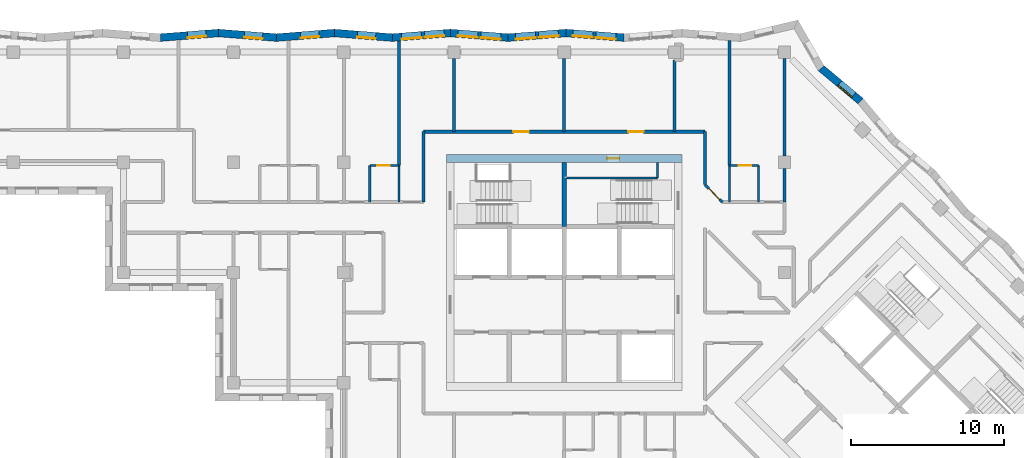
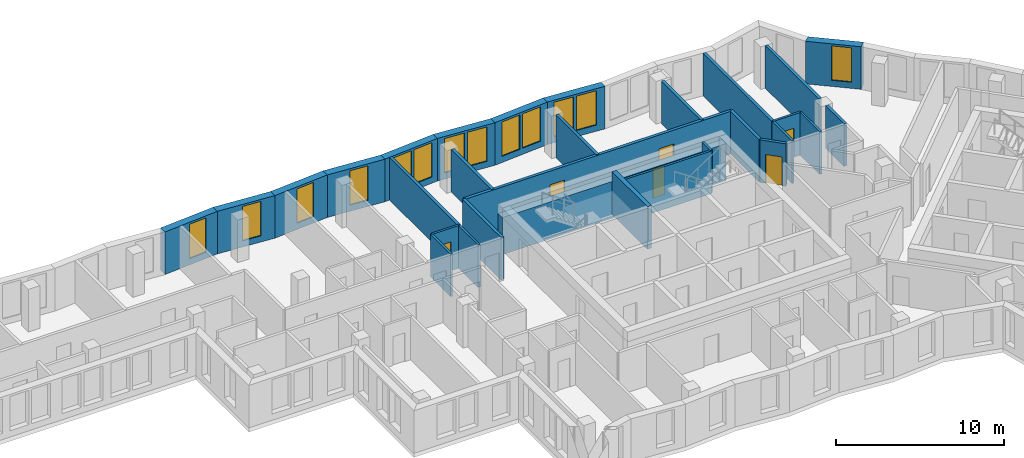
# One storey, part 6 of 11: 30 walls, 13 windows, 6 doors, 19 openings.
"""IFC4 building model written with IfcOpenShell, lengths in metres."""

from ifc_helpers import new_model, si_unit, direction, frame, frame_2d, origin, place, context, subcontext, project, spatial, polyline, rectangle, outline, extrude, material, layer, layer_set, type_object, element, fill, save


model = new_model("IFC4")

# Units and contexts
model_context = context("Model", 3, precision=1e-05, world=origin(), true_north=direction((0.0, 1.0)))
body_context = subcontext(model_context, "Body", "Model", "MODEL_VIEW")
ifc_project = project(units=[si_unit("LENGTHUNIT", "METRE"), si_unit("AREAUNIT", "SQUARE_METRE"), si_unit("VOLUMEUNIT", "CUBIC_METRE"), si_unit("PLANEANGLEUNIT", "RADIAN"), si_unit("MASSUNIT", "GRAM", prefix="KILO")], contexts=[model_context])

# Site, building, storey
site_placement = place(None, origin())
site = spatial("IfcSite", under=ifc_project, at=site_placement, CompositionType="ELEMENT")
building_placement = place(site_placement, origin())
building = spatial("IfcBuilding", under=site, at=building_placement, Name="Windrow Commons", CompositionType="ELEMENT")
storey_placement = place(building_placement, frame((0.0, 0.0, 189.6)))
storey = spatial("IfcBuildingStorey", under=building, at=storey_placement, Name="L51", CompositionType="ELEMENT", Elevation=189.6)

# Wall, opening, window
ifc_material_1 = material(Name="Brick masonry, red clay brick", Category="masonry")
ifc_layer_1 = layer(ifc_material_1, 0.5)
ifc_layer_set_1 = layer_set([ifc_layer_1], Name="Brick facade wall 500")
wall_type_1 = type_object("IfcWallType", Name="Brick facade wall 500", PredefinedType="SOLIDWALL", material=ifc_layer_set_1)
wall_1_placement = place(storey_placement, frame((84.1732, 68.7932, 0.0), z_axis=(0.0, 0.0, 1.0), x_axis=(-0.7677555003, 0.6407429217, 0.0)))
wall_1 = element("IfcWall", 1, at=wall_1_placement, inside=storey, type_object=wall_type_1, Name="Brick facade wall L51 15", PredefinedType="SOLIDWALL", context=body_context, shape_type="SweptSolid", body=[
    extrude(outline(polyline([(-0.0225, -0.25), (3.3179, -0.25), (3.4074, 0.25), (0.0225, 0.25), (-0.0225, -0.25)])), origin(), (0.0, 0.0, 1.0), 3.1),
])
opening_1_placement = place(wall_1_placement, frame((0.6078, 0.0, 0.45)))
opening_1 = element("IfcOpeningElement", 2, at=opening_1_placement, cuts=wall_1, Name="Opening W7E", PredefinedType="OPENING", context=body_context, shape_type="SweptSolid", body=[
    extrude(rectangle(XDim=1.2, YDim=2.5, at=frame_2d((0.6, 1.25))), frame((0.0, 0.26, 0.0), z_axis=(0.0, -1.0, 0.0), x_axis=(1.0, 0.0, 0.0)), (0.0, 0.0, 1.0), 0.52),
])
ifc_material_2 = material(Name="Clear float glass in anodised aluminium frame", Category="aluminium")
window_type_1 = type_object("IfcWindowType", Name="Window W7 notch 1200x2500", PartitioningType="SINGLE_PANEL", PredefinedType="WINDOW", material=ifc_material_2)
window_1_placement = place(opening_1_placement, origin())
window_1 = element("IfcWindow", 3, at=window_1_placement, inside=storey, type_object=window_type_1, Name="Window L51 15.1", OverallHeight=2.5, OverallWidth=1.2, PartitioningType="SINGLE_PANEL", PredefinedType="WINDOW", context=body_context, shape_type="SweptSolid", body=[
    extrude(rectangle(XDim=1.2, YDim=2.5, at=frame_2d((0.6, 1.25))), frame((0.0, 0.18, 0.0), z_axis=(0.0, -1.0, 0.0), x_axis=(1.0, 0.0, 0.0)), (0.0, 0.0, 1.0), 0.06),
])
fill(opening_1, window_1)

# Wall, openings, windows
wall_2_placement = place(storey_placement, frame((68.713, 72.9492, 0.0), z_axis=(0.0, 0.0, 1.0), x_axis=(-0.9968746163, 0.078999996, 0.0)))
wall_2 = element("IfcWall", 4, at=wall_2_placement, inside=storey, type_object=wall_type_1, Name="Brick facade wall L51 20", PredefinedType="SOLIDWALL", context=body_context, shape_type="SweptSolid", body=[
    extrude(outline(polyline([(0.0198, -0.25), (3.8173, -0.25), (3.7777, 0.25), (-0.0198, 0.25), (0.0198, -0.25)])), origin(), (0.0, 0.0, 1.0), 3.1),
])
opening_2_placement = place(wall_2_placement, frame((0.5458, 0.0, 0.45)))
opening_2 = element("IfcOpeningElement", 5, at=opening_2_placement, cuts=wall_2, Name="Opening W1Q", PredefinedType="OPENING", context=body_context, shape_type="SweptSolid", body=[
    extrude(rectangle(XDim=1.3, YDim=2.5, at=frame_2d((0.65, 1.25))), frame((0.0, 0.26, 0.0), z_axis=(0.0, -1.0, 0.0), x_axis=(1.0, 0.0, 0.0)), (0.0, 0.0, 1.0), 0.52),
])
opening_3_placement = place(wall_2_placement, frame((2.0458, 0.0, 0.45)))
opening_3 = element("IfcOpeningElement", 6, at=opening_3_placement, cuts=wall_2, Name="Opening W1Q", PredefinedType="OPENING", context=body_context, shape_type="SweptSolid", body=[
    extrude(rectangle(XDim=1.3, YDim=2.5, at=frame_2d((0.65, 1.25))), frame((0.0, 0.26, 0.0), z_axis=(0.0, -1.0, 0.0), x_axis=(1.0, 0.0, 0.0)), (0.0, 0.0, 1.0), 0.52),
])
ifc_material_3 = material(Name="Clear float glass in anodised aluminium frame", Category="aluminium")
window_type_2 = type_object("IfcWindowType", Name="Window W1Q pair 1300x2500", PartitioningType="SINGLE_PANEL", PredefinedType="WINDOW", material=ifc_material_3)
window_2_placement = place(opening_2_placement, origin())
window_2 = element("IfcWindow", 7, at=window_2_placement, inside=storey, type_object=window_type_2, Name="Window L51 20.1A", OverallHeight=2.5, OverallWidth=1.3, PartitioningType="SINGLE_PANEL", PredefinedType="WINDOW", context=body_context, shape_type="SweptSolid", body=[
    extrude(rectangle(XDim=1.3, YDim=2.5, at=frame_2d((0.65, 1.25))), frame((0.0, 0.18, 0.0), z_axis=(0.0, -1.0, 0.0), x_axis=(1.0, 0.0, 0.0)), (0.0, 0.0, 1.0), 0.06),
])
fill(opening_2, window_2)
window_3_placement = place(opening_3_placement, origin())
window_3 = element("IfcWindow", 8, at=window_3_placement, inside=storey, type_object=window_type_2, Name="Window L51 20.1B", OverallHeight=2.5, OverallWidth=1.3, PartitioningType="SINGLE_PANEL", PredefinedType="WINDOW", context=body_context, shape_type="SweptSolid", body=[
    extrude(rectangle(XDim=1.3, YDim=2.5, at=frame_2d((0.65, 1.25))), frame((0.0, 0.18, 0.0), z_axis=(0.0, -1.0, 0.0), x_axis=(1.0, 0.0, 0.0)), (0.0, 0.0, 1.0), 0.06),
])
fill(opening_3, window_3)

wall_3_placement = place(storey_placement, frame((64.9274, 73.2492, 0.0), z_axis=(0.0, 0.0, 1.0), x_axis=(-0.9968746163, -0.078999996, 0.0)))
wall_3 = element("IfcWall", 9, at=wall_3_placement, inside=storey, type_object=wall_type_1, Name="Brick facade wall L51 21", PredefinedType="SOLIDWALL", context=body_context, shape_type="SweptSolid", body=[
    extrude(outline(polyline([(-0.0198, -0.25), (3.7777, -0.25), (3.8173, 0.25), (0.0198, 0.25), (-0.0198, -0.25)])), origin(), (0.0, 0.0, 1.0), 3.1),
])
opening_4_placement = place(wall_3_placement, frame((0.5086, 0.0, 0.45)))
opening_4 = element("IfcOpeningElement", 10, at=opening_4_placement, cuts=wall_3, Name="Opening W1Q", PredefinedType="OPENING", context=body_context, shape_type="SweptSolid", body=[
    extrude(rectangle(XDim=1.3, YDim=2.5, at=frame_2d((0.65, 1.25))), frame((0.0, 0.26, 0.0), z_axis=(0.0, -1.0, 0.0), x_axis=(1.0, 0.0, 0.0)), (0.0, 0.0, 1.0), 0.52),
])
opening_5_placement = place(wall_3_placement, frame((2.0086, 0.0, 0.45)))
opening_5 = element("IfcOpeningElement", 11, at=opening_5_placement, cuts=wall_3, Name="Opening W1Q", PredefinedType="OPENING", context=body_context, shape_type="SweptSolid", body=[
    extrude(rectangle(XDim=1.3, YDim=2.5, at=frame_2d((0.65, 1.25))), frame((0.0, 0.26, 0.0), z_axis=(0.0, -1.0, 0.0), x_axis=(1.0, 0.0, 0.0)), (0.0, 0.0, 1.0), 0.52),
])
window_4_placement = place(opening_4_placement, origin())
window_4 = element("IfcWindow", 12, at=window_4_placement, inside=storey, type_object=window_type_2, Name="Window L51 21.1A", OverallHeight=2.5, OverallWidth=1.3, PartitioningType="SINGLE_PANEL", PredefinedType="WINDOW", context=body_context, shape_type="SweptSolid", body=[
    extrude(rectangle(XDim=1.3, YDim=2.5, at=frame_2d((0.65, 1.25))), frame((0.0, 0.18, 0.0), z_axis=(0.0, -1.0, 0.0), x_axis=(1.0, 0.0, 0.0)), (0.0, 0.0, 1.0), 0.06),
])
fill(opening_4, window_4)
window_5_placement = place(opening_5_placement, origin())
window_5 = element("IfcWindow", 13, at=window_5_placement, inside=storey, type_object=window_type_2, Name="Window L51 21.1B", OverallHeight=2.5, OverallWidth=1.3, PartitioningType="SINGLE_PANEL", PredefinedType="WINDOW", context=body_context, shape_type="SweptSolid", body=[
    extrude(rectangle(XDim=1.3, YDim=2.5, at=frame_2d((0.65, 1.25))), frame((0.0, 0.18, 0.0), z_axis=(0.0, -1.0, 0.0), x_axis=(1.0, 0.0, 0.0)), (0.0, 0.0, 1.0), 0.06),
])
fill(opening_5, window_5)

wall_4_placement = place(storey_placement, frame((61.1418, 72.9492, 0.0), z_axis=(0.0, 0.0, 1.0), x_axis=(-0.9968746163, 0.078999996, 0.0)))
wall_4 = element("IfcWall", 14, at=wall_4_placement, inside=storey, type_object=wall_type_1, Name="Brick facade wall L51 22", PredefinedType="SOLIDWALL", context=body_context, shape_type="SweptSolid", body=[
    extrude(outline(polyline([(0.0198, -0.25), (3.8173, -0.25), (3.7777, 0.25), (-0.0198, 0.25), (0.0198, -0.25)])), origin(), (0.0, 0.0, 1.0), 3.1),
])
opening_6_placement = place(wall_4_placement, frame((0.4888, 0.0, 0.45)))
opening_6 = element("IfcOpeningElement", 15, at=opening_6_placement, cuts=wall_4, Name="Opening W1Q", PredefinedType="OPENING", context=body_context, shape_type="SweptSolid", body=[
    extrude(rectangle(XDim=1.3, YDim=2.5, at=frame_2d((0.65, 1.25))), frame((0.0, 0.26, 0.0), z_axis=(0.0, -1.0, 0.0), x_axis=(1.0, 0.0, 0.0)), (0.0, 0.0, 1.0), 0.52),
])
opening_7_placement = place(wall_4_placement, frame((1.9888, 0.0, 0.45)))
opening_7 = element("IfcOpeningElement", 16, at=opening_7_placement, cuts=wall_4, Name="Opening W1Q", PredefinedType="OPENING", context=body_context, shape_type="SweptSolid", body=[
    extrude(rectangle(XDim=1.3, YDim=2.5, at=frame_2d((0.65, 1.25))), frame((0.0, 0.26, 0.0), z_axis=(0.0, -1.0, 0.0), x_axis=(1.0, 0.0, 0.0)), (0.0, 0.0, 1.0), 0.52),
])
window_6_placement = place(opening_6_placement, origin())
window_6 = element("IfcWindow", 17, at=window_6_placement, inside=storey, type_object=window_type_2, Name="Window L51 22.1A", OverallHeight=2.5, OverallWidth=1.3, PartitioningType="SINGLE_PANEL", PredefinedType="WINDOW", context=body_context, shape_type="SweptSolid", body=[
    extrude(rectangle(XDim=1.3, YDim=2.5, at=frame_2d((0.65, 1.25))), frame((0.0, 0.18, 0.0), z_axis=(0.0, -1.0, 0.0), x_axis=(1.0, 0.0, 0.0)), (0.0, 0.0, 1.0), 0.06),
])
fill(opening_6, window_6)
window_7_placement = place(opening_7_placement, origin())
window_7 = element("IfcWindow", 18, at=window_7_placement, inside=storey, type_object=window_type_2, Name="Window L51 22.1B", OverallHeight=2.5, OverallWidth=1.3, PartitioningType="SINGLE_PANEL", PredefinedType="WINDOW", context=body_context, shape_type="SweptSolid", body=[
    extrude(rectangle(XDim=1.3, YDim=2.5, at=frame_2d((0.65, 1.25))), frame((0.0, 0.18, 0.0), z_axis=(0.0, -1.0, 0.0), x_axis=(1.0, 0.0, 0.0)), (0.0, 0.0, 1.0), 0.06),
])
fill(opening_7, window_7)

wall_5_placement = place(storey_placement, frame((57.3562, 73.2492, 0.0), z_axis=(0.0, 0.0, 1.0), x_axis=(-0.9968746163, -0.078999996, 0.0)))
wall_5 = element("IfcWall", 19, at=wall_5_placement, inside=storey, type_object=wall_type_1, Name="Brick facade wall L51 23", PredefinedType="SOLIDWALL", context=body_context, shape_type="SweptSolid", body=[
    extrude(outline(polyline([(-0.0198, -0.25), (3.7777, -0.25), (3.8173, 0.25), (0.0198, 0.25), (-0.0198, -0.25)])), origin(), (0.0, 0.0, 1.0), 3.1),
])
opening_8_placement = place(wall_5_placement, frame((0.3933, 0.0, 0.45)))
opening_8 = element("IfcOpeningElement", 20, at=opening_8_placement, cuts=wall_5, Name="Opening W1Q", PredefinedType="OPENING", context=body_context, shape_type="SweptSolid", body=[
    extrude(rectangle(XDim=1.3, YDim=2.5, at=frame_2d((0.65, 1.25))), frame((0.0, 0.26, 0.0), z_axis=(0.0, -1.0, 0.0), x_axis=(1.0, 0.0, 0.0)), (0.0, 0.0, 1.0), 0.52),
])
opening_9_placement = place(wall_5_placement, frame((1.8933, 0.0, 0.45)))
opening_9 = element("IfcOpeningElement", 21, at=opening_9_placement, cuts=wall_5, Name="Opening W1Q", PredefinedType="OPENING", context=body_context, shape_type="SweptSolid", body=[
    extrude(rectangle(XDim=1.3, YDim=2.5, at=frame_2d((0.65, 1.25))), frame((0.0, 0.26, 0.0), z_axis=(0.0, -1.0, 0.0), x_axis=(1.0, 0.0, 0.0)), (0.0, 0.0, 1.0), 0.52),
])
window_8_placement = place(opening_8_placement, origin())
window_8 = element("IfcWindow", 22, at=window_8_placement, inside=storey, type_object=window_type_2, Name="Window L51 23.1A", OverallHeight=2.5, OverallWidth=1.3, PartitioningType="SINGLE_PANEL", PredefinedType="WINDOW", context=body_context, shape_type="SweptSolid", body=[
    extrude(rectangle(XDim=1.3, YDim=2.5, at=frame_2d((0.65, 1.25))), frame((0.0, 0.18, 0.0), z_axis=(0.0, -1.0, 0.0), x_axis=(1.0, 0.0, 0.0)), (0.0, 0.0, 1.0), 0.06),
])
fill(opening_8, window_8)
window_9_placement = place(opening_9_placement, origin())
window_9 = element("IfcWindow", 23, at=window_9_placement, inside=storey, type_object=window_type_2, Name="Window L51 23.1B", OverallHeight=2.5, OverallWidth=1.3, PartitioningType="SINGLE_PANEL", PredefinedType="WINDOW", context=body_context, shape_type="SweptSolid", body=[
    extrude(rectangle(XDim=1.3, YDim=2.5, at=frame_2d((0.65, 1.25))), frame((0.0, 0.18, 0.0), z_axis=(0.0, -1.0, 0.0), x_axis=(1.0, 0.0, 0.0)), (0.0, 0.0, 1.0), 0.06),
])
fill(opening_9, window_9)

# Wall, opening, window
wall_6_placement = place(storey_placement, frame((53.5706, 72.9492, 0.0), z_axis=(0.0, 0.0, 1.0), x_axis=(-0.9968747806, 0.0789979222, 0.0)))
wall_6 = element("IfcWall", 24, at=wall_6_placement, inside=storey, type_object=wall_type_1, Name="Brick facade wall L51 24", PredefinedType="SOLIDWALL", context=body_context, shape_type="SweptSolid", body=[
    extrude(outline(polyline([(0.0198, -0.25), (3.8173, -0.25), (3.7777, 0.25), (-0.0198, 0.25), (0.0198, -0.25)])), origin(), (0.0, 0.0, 1.0), 3.1),
])
opening_10_placement = place(wall_6_placement, frame((1.0903, 0.0, 0.45)))
opening_10 = element("IfcOpeningElement", 25, at=opening_10_placement, cuts=wall_6, Name="Opening W7E", PredefinedType="OPENING", context=body_context, shape_type="SweptSolid", body=[
    extrude(rectangle(XDim=1.2, YDim=2.5, at=frame_2d((0.6, 1.25))), frame((0.0, 0.26, 0.0), z_axis=(0.0, -1.0, 0.0), x_axis=(1.0, 0.0, 0.0)), (0.0, 0.0, 1.0), 0.52),
])
window_10_placement = place(opening_10_placement, origin())
window_10 = element("IfcWindow", 26, at=window_10_placement, inside=storey, type_object=window_type_1, Name="Window L51 24.1", OverallHeight=2.5, OverallWidth=1.2, PartitioningType="SINGLE_PANEL", PredefinedType="WINDOW", context=body_context, shape_type="SweptSolid", body=[
    extrude(rectangle(XDim=1.2, YDim=2.5, at=frame_2d((0.6, 1.25))), frame((0.0, 0.18, 0.0), z_axis=(0.0, -1.0, 0.0), x_axis=(1.0, 0.0, 0.0)), (0.0, 0.0, 1.0), 0.06),
])
fill(opening_10, window_10)

wall_7_placement = place(storey_placement, frame((49.7849, 73.2492, 0.0), z_axis=(0.0, 0.0, 1.0), x_axis=(-0.9968746163, -0.078999996, 0.0)))
wall_7 = element("IfcWall", 27, at=wall_7_placement, inside=storey, type_object=wall_type_1, Name="Brick facade wall L51 25", PredefinedType="SOLIDWALL", context=body_context, shape_type="SweptSolid", body=[
    extrude(outline(polyline([(-0.0198, -0.25), (3.7777, -0.25), (3.8173, 0.25), (0.0198, 0.25), (-0.0198, -0.25)])), origin(), (0.0, 0.0, 1.0), 3.1),
])
opening_11_placement = place(wall_7_placement, frame((1.0071, 0.0, 0.45)))
opening_11 = element("IfcOpeningElement", 28, at=opening_11_placement, cuts=wall_7, Name="Opening W7E", PredefinedType="OPENING", context=body_context, shape_type="SweptSolid", body=[
    extrude(rectangle(XDim=1.2, YDim=2.5, at=frame_2d((0.6, 1.25))), frame((0.0, 0.26, 0.0), z_axis=(0.0, -1.0, 0.0), x_axis=(1.0, 0.0, 0.0)), (0.0, 0.0, 1.0), 0.52),
])
window_11_placement = place(opening_11_placement, origin())
window_11 = element("IfcWindow", 29, at=window_11_placement, inside=storey, type_object=window_type_1, Name="Window L51 25.1", OverallHeight=2.5, OverallWidth=1.2, PartitioningType="SINGLE_PANEL", PredefinedType="WINDOW", context=body_context, shape_type="SweptSolid", body=[
    extrude(rectangle(XDim=1.2, YDim=2.5, at=frame_2d((0.6, 1.25))), frame((0.0, 0.18, 0.0), z_axis=(0.0, -1.0, 0.0), x_axis=(1.0, 0.0, 0.0)), (0.0, 0.0, 1.0), 0.06),
])
fill(opening_11, window_11)

wall_8_placement = place(storey_placement, frame((45.9993, 72.9492, 0.0), z_axis=(0.0, 0.0, 1.0), x_axis=(-0.9968746163, 0.078999996, 0.0)))
wall_8 = element("IfcWall", 30, at=wall_8_placement, inside=storey, type_object=wall_type_1, Name="Brick facade wall L51 26", PredefinedType="SOLIDWALL", context=body_context, shape_type="SweptSolid", body=[
    extrude(outline(polyline([(0.0198, -0.25), (3.8173, -0.25), (3.7777, 0.25), (-0.0198, 0.25), (0.0198, -0.25)])), origin(), (0.0, 0.0, 1.0), 3.1),
])
opening_12_placement = place(wall_8_placement, frame((0.9041, 0.0, 0.45)))
opening_12 = element("IfcOpeningElement", 31, at=opening_12_placement, cuts=wall_8, Name="Opening W7E", PredefinedType="OPENING", context=body_context, shape_type="SweptSolid", body=[
    extrude(rectangle(XDim=1.2, YDim=2.5, at=frame_2d((0.6, 1.25))), frame((0.0, 0.26, 0.0), z_axis=(0.0, -1.0, 0.0), x_axis=(1.0, 0.0, 0.0)), (0.0, 0.0, 1.0), 0.52),
])
window_12_placement = place(opening_12_placement, origin())
window_12 = element("IfcWindow", 32, at=window_12_placement, inside=storey, type_object=window_type_1, Name="Window L51 26.1", OverallHeight=2.5, OverallWidth=1.2, PartitioningType="SINGLE_PANEL", PredefinedType="WINDOW", context=body_context, shape_type="SweptSolid", body=[
    extrude(rectangle(XDim=1.2, YDim=2.5, at=frame_2d((0.6, 1.25))), frame((0.0, 0.18, 0.0), z_axis=(0.0, -1.0, 0.0), x_axis=(1.0, 0.0, 0.0)), (0.0, 0.0, 1.0), 0.06),
])
fill(opening_12, window_12)

wall_9_placement = place(storey_placement, frame((42.2137, 73.2492, 0.0), z_axis=(0.0, 0.0, 1.0), x_axis=(-0.9968746163, -0.078999996, 0.0)))
wall_9 = element("IfcWall", 33, at=wall_9_placement, inside=storey, type_object=wall_type_1, Name="Brick facade wall L51 27", PredefinedType="SOLIDWALL", context=body_context, shape_type="SweptSolid", body=[
    extrude(outline(polyline([(-0.0198, -0.25), (3.7777, -0.25), (3.8173, 0.25), (0.0198, 0.25), (-0.0198, -0.25)])), origin(), (0.0, 0.0, 1.0), 3.1),
])
opening_13_placement = place(wall_9_placement, frame((0.8209, 0.0, 0.45)))
opening_13 = element("IfcOpeningElement", 34, at=opening_13_placement, cuts=wall_9, Name="Opening W7E", PredefinedType="OPENING", context=body_context, shape_type="SweptSolid", body=[
    extrude(rectangle(XDim=1.2, YDim=2.5, at=frame_2d((0.6, 1.25))), frame((0.0, 0.26, 0.0), z_axis=(0.0, -1.0, 0.0), x_axis=(1.0, 0.0, 0.0)), (0.0, 0.0, 1.0), 0.52),
])
window_13_placement = place(opening_13_placement, origin())
window_13 = element("IfcWindow", 35, at=window_13_placement, inside=storey, type_object=window_type_1, Name="Window L51 27.1", OverallHeight=2.5, OverallWidth=1.2, PartitioningType="SINGLE_PANEL", PredefinedType="WINDOW", context=body_context, shape_type="SweptSolid", body=[
    extrude(rectangle(XDim=1.2, YDim=2.5, at=frame_2d((0.6, 1.25))), frame((0.0, 0.18, 0.0), z_axis=(0.0, -1.0, 0.0), x_axis=(1.0, 0.0, 0.0)), (0.0, 0.0, 1.0), 0.06),
])
fill(opening_13, window_13)

# Wall, openings, doors
ifc_material_4 = material(Name="Blockwork partition", Category="masonry")
ifc_layer_2 = layer(ifc_material_4, 0.2)
ifc_layer_set_2 = layer_set([ifc_layer_2], Name="IW-CORRIDOR-200")
wall_type_2 = type_object("IfcWallType", Name="IW-CORRIDOR-200", PredefinedType="PARTITIONING", material=ifc_layer_set_2)
wall_10_placement = place(storey_placement, frame((55.6, 66.8, 0.0), z_axis=(0.0, 0.0, 1.0), x_axis=(1.0, 0.0, 0.0)))
wall_10 = element("IfcWall", 36, at=wall_10_placement, inside=storey, type_object=wall_type_2, Name="W-L51-W002", PredefinedType="PARTITIONING", context=body_context, shape_type="SweptSolid", body=[
    extrude(rectangle(XDim=18.4, YDim=0.2, at=frame_2d((9.2, 0.0))), origin(), (0.0, 0.0, 1.0), 3.1),
])
opening_14_placement = place(wall_10_placement, frame((5.8862, 0.0, 0.0)))
opening_14 = element("IfcOpeningElement", 37, at=opening_14_placement, cuts=wall_10, Name="Opening D310F", PredefinedType="OPENING", context=body_context, shape_type="SweptSolid", body=[
    extrude(rectangle(XDim=1.0, YDim=2.1, at=frame_2d((0.5, 1.05))), frame((0.0, 0.11, 0.0), z_axis=(0.0, -1.0, 0.0), x_axis=(1.0, 0.0, 0.0)), (0.0, 0.0, 1.0), 0.22),
])
opening_15_placement = place(wall_10_placement, frame((13.3887, 0.0, 0.0)))
opening_15 = element("IfcOpeningElement", 38, at=opening_15_placement, cuts=wall_10, Name="Opening D310F", PredefinedType="OPENING", context=body_context, shape_type="SweptSolid", body=[
    extrude(rectangle(XDim=1.0, YDim=2.1, at=frame_2d((0.5, 1.05))), frame((0.0, 0.11, 0.0), z_axis=(0.0, -1.0, 0.0), x_axis=(1.0, 0.0, 0.0)), (0.0, 0.0, 1.0), 0.22),
])
ifc_material_5 = material(Name="Timber door leaf", Category="wood")
door_type_1 = type_object("IfcDoorType", Name="DT-AMENITY-1000", OperationType="SINGLE_SWING_LEFT", PredefinedType="DOOR", material=ifc_material_5)
door_1_placement = place(opening_14_placement, origin())
door_1 = element("IfcDoor", 39, at=door_1_placement, inside=storey, type_object=door_type_1, Name="D-L51-D004", OperationType="SINGLE_SWING_RIGHT", OverallHeight=2.1, OverallWidth=1.0, PredefinedType="DOOR", context=body_context, shape_type="SweptSolid", body=[
    extrude(rectangle(XDim=1.0, YDim=2.1, at=frame_2d((0.5, 1.05))), frame((0.0, 0.025, 0.0), z_axis=(0.0, -1.0, 0.0), x_axis=(1.0, 0.0, 0.0)), (0.0, 0.0, 1.0), 0.05),
])
fill(opening_14, door_1)
door_2_placement = place(opening_15_placement, origin())
door_2 = element("IfcDoor", 40, at=door_2_placement, inside=storey, type_object=door_type_1, Name="D-L51-D005", OperationType="SINGLE_SWING_RIGHT", OverallHeight=2.1, OverallWidth=1.0, PredefinedType="DOOR", context=body_context, shape_type="SweptSolid", body=[
    extrude(rectangle(XDim=1.0, YDim=2.1, at=frame_2d((0.5, 1.05))), frame((0.0, 0.025, 0.0), z_axis=(0.0, -1.0, 0.0), x_axis=(1.0, 0.0, 0.0)), (0.0, 0.0, 1.0), 0.05),
])
fill(opening_15, door_2)

# Walls
wall_11_placement = place(storey_placement, frame((55.6, 62.202, 0.0), z_axis=(0.0, 0.0, 1.0), x_axis=(0.0, 1.0, 0.0)))
element("IfcWall", 41, at=wall_11_placement, inside=storey, type_object=wall_type_2, Name="W-L51-W044", PredefinedType="PARTITIONING", context=body_context, shape_type="SweptSolid", body=[
    extrude(rectangle(XDim=4.598, YDim=0.2, at=frame_2d((2.299, 0.0))), origin(), (0.0, 0.0, 1.0), 3.1),
])
wall_12_placement = place(storey_placement, frame((74.0, 63.342, 0.0), z_axis=(0.0, 0.0, 1.0), x_axis=(0.0, 1.0, 0.0)))
element("IfcWall", 42, at=wall_12_placement, inside=storey, type_object=wall_type_2, Name="W-L51-W051", PredefinedType="PARTITIONING", context=body_context, shape_type="SweptSolid", body=[
    extrude(rectangle(XDim=3.458, YDim=0.2, at=frame_2d((1.729, 0.0))), origin(), (0.0, 0.0, 1.0), 3.1),
])

# Wall, opening, door
wall_13_placement = place(storey_placement, frame((73.9971, 63.3371, 0.0), z_axis=(0.0, 0.0, 1.0), x_axis=(0.7071067812, -0.7071067812, 0.0)))
wall_13 = element("IfcWall", 43, at=wall_13_placement, inside=storey, type_object=wall_type_2, Name="W-L51-W115", PredefinedType="PARTITIONING", context=body_context, shape_type="SweptSolid", body=[
    extrude(rectangle(XDim=1.6122, YDim=0.2, at=frame_2d((0.8061, 0.0))), origin(), (0.0, 0.0, 1.0), 3.1),
])
opening_16_placement = place(wall_13_placement, frame((0.3573, 0.0, 0.0)))
opening_16 = element("IfcOpeningElement", 44, at=opening_16_placement, cuts=wall_13, Name="Opening D310F", PredefinedType="OPENING", context=body_context, shape_type="SweptSolid", body=[
    extrude(rectangle(XDim=1.0, YDim=2.1, at=frame_2d((0.5, 1.05))), frame((0.0, 0.11, 0.0), z_axis=(0.0, -1.0, 0.0), x_axis=(1.0, 0.0, 0.0)), (0.0, 0.0, 1.0), 0.22),
])
door_3_placement = place(opening_16_placement, origin())
door_3 = element("IfcDoor", 45, at=door_3_placement, inside=storey, type_object=door_type_1, Name="D-L51-D017", OperationType="SINGLE_SWING_RIGHT", OverallHeight=2.1, OverallWidth=1.0, PredefinedType="DOOR", context=body_context, shape_type="SweptSolid", body=[
    extrude(rectangle(XDim=1.0, YDim=2.1, at=frame_2d((0.5, 1.05))), frame((0.0, 0.025, 0.0), z_axis=(0.0, -1.0, 0.0), x_axis=(1.0, 0.0, 0.0)), (0.0, 0.0, 1.0), 0.05),
])
fill(opening_16, door_3)

# Walls
ifc_material_6 = material(Name="Blockwork partition", Category="masonry")
ifc_layer_3 = layer(ifc_material_6, 0.15)
ifc_layer_set_3 = layer_set([ifc_layer_3], Name="IW-ENSUITE-150")
wall_type_3 = type_object("IfcWallType", Name="IW-ENSUITE-150", PredefinedType="PARTITIONING", material=ifc_layer_set_3)
for number, where, z_axis, x_axis, name in (
    (46, (52.1, 62.2, 0.0), (0.0, 0.0, 1.0), (0.0, 1.0, 0.0), "W-L51-W077"),
    (47, (54.0, 62.2, 0.0), (0.0, 0.0, 1.0), (0.0, 1.0, 0.0), "W-L51-W078"),
    (48, (75.6, 62.2, 0.0), (0.0, 0.0, 1.0), (0.0, 1.0, 0.0), "W-L51-W079"),
    (49, (77.5, 62.2, 0.0), (0.0, 0.0, 1.0), (0.0, 1.0, 0.0), "W-L51-W080"),
):
    element("IfcWall", number, at=place(storey_placement, frame(where, z_axis=z_axis, x_axis=x_axis)), inside=storey, type_object=wall_type_3, Name=name, PredefinedType="PARTITIONING", context=body_context, shape_type="SweptSolid", body=[
        extrude(rectangle(XDim=2.4, YDim=0.15, at=frame_2d((1.2, 0.0))), origin(), (0.0, 0.0, 1.0), 3.1),
    ])

# Wall, opening, door
wall_14_placement = place(storey_placement, frame((75.6, 64.6, 0.0), z_axis=(0.0, 0.0, 1.0), x_axis=(1.0, 0.0, 0.0)))
wall_14 = element("IfcWall", 50, at=wall_14_placement, inside=storey, type_object=wall_type_3, Name="W-L51-W103", PredefinedType="PARTITIONING", context=body_context, shape_type="SweptSolid", body=[
    extrude(rectangle(XDim=1.9, YDim=0.15, at=frame_2d((0.95, 0.0))), origin(), (0.0, 0.0, 1.0), 3.1),
])
opening_17_placement = place(wall_14_placement, frame((0.6069, 0.0, 0.0)))
opening_17 = element("IfcOpeningElement", 51, at=opening_17_placement, cuts=wall_14, Name="Opening D208N", PredefinedType="OPENING", context=body_context, shape_type="SweptSolid", body=[
    extrude(rectangle(XDim=0.8, YDim=2.1, at=frame_2d((0.4, 1.05))), frame((0.0, 0.085, 0.0), z_axis=(0.0, -1.0, 0.0), x_axis=(1.0, 0.0, 0.0)), (0.0, 0.0, 1.0), 0.17),
])
ifc_material_7 = material(Name="Timber door leaf", Category="wood")
door_type_2 = type_object("IfcDoorType", Name="DT-ENSUITE-800", OperationType="SINGLE_SWING_LEFT", PredefinedType="DOOR", material=ifc_material_7)
door_4_placement = place(opening_17_placement, origin())
door_4 = element("IfcDoor", 52, at=door_4_placement, inside=storey, type_object=door_type_2, Name="D-L51-D019", OperationType="SINGLE_SWING_RIGHT", OverallHeight=2.1, OverallWidth=0.8, PredefinedType="DOOR", context=body_context, shape_type="SweptSolid", body=[
    extrude(rectangle(XDim=0.8, YDim=2.1, at=frame_2d((0.4, 1.05))), frame((0.0, 0.025, 0.0), z_axis=(0.0, -1.0, 0.0), x_axis=(1.0, 0.0, 0.0)), (0.0, 0.0, 1.0), 0.05),
])
fill(opening_17, door_4)

wall_15_placement = place(storey_placement, frame((52.1, 64.6, 0.0), z_axis=(0.0, 0.0, 1.0), x_axis=(1.0, 0.0, 0.0)))
wall_15 = element("IfcWall", 53, at=wall_15_placement, inside=storey, type_object=wall_type_3, Name="W-L51-W107", PredefinedType="PARTITIONING", context=body_context, shape_type="SweptSolid", body=[
    extrude(rectangle(XDim=1.9, YDim=0.15, at=frame_2d((0.95, 0.0))), origin(), (0.0, 0.0, 1.0), 3.1),
])
opening_18_placement = place(wall_15_placement, frame((0.4931, 0.0, 0.0)))
opening_18 = element("IfcOpeningElement", 54, at=opening_18_placement, cuts=wall_15, Name="Opening D208N", PredefinedType="OPENING", context=body_context, shape_type="SweptSolid", body=[
    extrude(rectangle(XDim=0.8, YDim=2.1, at=frame_2d((0.4, 1.05))), frame((0.0, 0.085, 0.0), z_axis=(0.0, -1.0, 0.0), x_axis=(1.0, 0.0, 0.0)), (0.0, 0.0, 1.0), 0.17),
])
door_5_placement = place(opening_18_placement, origin())
door_5 = element("IfcDoor", 55, at=door_5_placement, inside=storey, type_object=door_type_2, Name="D-L51-D015", OperationType="SINGLE_SWING_RIGHT", OverallHeight=2.1, OverallWidth=0.8, PredefinedType="DOOR", context=body_context, shape_type="SweptSolid", body=[
    extrude(rectangle(XDim=0.8, YDim=2.1, at=frame_2d((0.4, 1.05))), frame((0.0, 0.025, 0.0), z_axis=(0.0, -1.0, 0.0), x_axis=(1.0, 0.0, 0.0)), (0.0, 0.0, 1.0), 0.05),
])
fill(opening_18, door_5)

# Walls
ifc_material_8 = material(Name="Blockwork partition", Category="masonry")
ifc_layer_4 = layer(ifc_material_8, 0.2)
ifc_layer_set_4 = layer_set([ifc_layer_4], Name="IW-PARTY-200")
wall_type_4 = type_object("IfcWallType", Name="IW-PARTY-200", PredefinedType="PARTITIONING", material=ifc_layer_set_4)
wall_16_placement = place(storey_placement, frame((75.6, 64.6, 0.0), z_axis=(0.0, 0.0, 1.0), x_axis=(0.0, 1.0, 0.0)))
element("IfcWall", 56, at=wall_16_placement, inside=storey, type_object=wall_type_4, Name="W-L51-W013", PredefinedType="PARTITIONING", context=body_context, shape_type="SweptSolid", body=[
    extrude(rectangle(XDim=8.1527, YDim=0.2, at=frame_2d((4.0763, 0.0))), origin(), (0.0, 0.0, 1.0), 3.1),
])
wall_17_placement = place(storey_placement, frame((54.0, 64.6, 0.0), z_axis=(0.0, 0.0, 1.0), x_axis=(0.0, 1.0, 0.0)))
element("IfcWall", 57, at=wall_17_placement, inside=storey, type_object=wall_type_4, Name="W-L51-W014", PredefinedType="PARTITIONING", context=body_context, shape_type="SweptSolid", body=[
    extrude(rectangle(XDim=8.1325, YDim=0.2, at=frame_2d((4.0663, 0.0))), origin(), (0.0, 0.0, 1.0), 3.1),
])
wall_18_placement = place(storey_placement, frame((79.2, 65.2, 0.0), z_axis=(0.0, 0.0, 1.0), x_axis=(0.0, 1.0, 0.0)))
element("IfcWall", 58, at=wall_18_placement, inside=storey, type_object=wall_type_4, Name="W-L51-W022", PredefinedType="PARTITIONING", context=body_context, shape_type="SweptSolid", body=[
    extrude(rectangle(XDim=6.4, YDim=0.2, at=frame_2d((3.2, 0.0))), origin(), (0.0, 0.0, 1.0), 3.1),
])
for number, where, z_axis, x_axis, name in (
    (59, (57.6, 66.8, 0.0), (0.0, 0.0, 1.0), (0.0, 1.0, 0.0), "W-L51-W038"),
    (60, (64.8, 66.8, 0.0), (0.0, 0.0, 1.0), (0.0, 1.0, 0.0), "W-L51-W039"),
):
    element("IfcWall", number, at=place(storey_placement, frame(where, z_axis=z_axis, x_axis=x_axis)), inside=storey, type_object=wall_type_4, Name=name, PredefinedType="PARTITIONING", context=body_context, shape_type="SweptSolid", body=[
        extrude(rectangle(XDim=4.8, YDim=0.2, at=frame_2d((2.4, 0.0))), origin(), (0.0, 0.0, 1.0), 3.1),
    ])
wall_19_placement = place(storey_placement, frame((72.0, 66.8, 0.0), z_axis=(0.0, 0.0, 1.0), x_axis=(0.0, 1.0, 0.0)))
element("IfcWall", 61, at=wall_19_placement, inside=storey, type_object=wall_type_4, Name="W-L51-W042", PredefinedType="PARTITIONING", context=body_context, shape_type="SweptSolid", body=[
    extrude(rectangle(XDim=4.696, YDim=0.2, at=frame_2d((2.348, 0.0))), origin(), (0.0, 0.0, 1.0), 3.1),
])
wall_20_placement = place(storey_placement, frame((79.2, 62.2, 0.0), z_axis=(0.0, 0.0, 1.0), x_axis=(0.0, 1.0, 0.0)))
element("IfcWall", 62, at=wall_20_placement, inside=storey, type_object=wall_type_4, Name="W-L51-W091", PredefinedType="PARTITIONING", context=body_context, shape_type="SweptSolid", body=[
    extrude(rectangle(XDim=2.2, YDim=0.2, at=frame_2d((1.1, 0.0))), origin(), (0.0, 0.0, 1.0), 3.1),
])

# Wall, opening, door
ifc_material_9 = material(Name="Concrete C40/50", Category="concrete")
ifc_layer_5 = layer(ifc_material_9, 0.5)
ifc_layer_set_5 = layer_set([ifc_layer_5], Name="RC CORE WALL 500 C40/50")
wall_type_5 = type_object("IfcWallType", Name="RC CORE WALL 500 C40/50", PredefinedType="SHEAR", material=ifc_layer_set_5)
wall_21_placement = place(storey_placement, frame((57.1, 65.05, -0.3), z_axis=(0.0, 0.0, 1.0), x_axis=(1.0, 0.0, 0.0)))
wall_21 = element("IfcWall", 63, at=wall_21_placement, inside=storey, type_object=wall_type_5, Name="Core A wall outer-N", PredefinedType="SHEAR", context=body_context, shape_type="SweptSolid", body=[
    extrude(rectangle(XDim=15.4, YDim=0.5, at=frame_2d((7.7, 0.0))), origin(), (0.0, 0.0, 1.0), 2.7),
])
opening_19_placement = place(wall_21_placement, frame((10.5, 0.0, 0.3)))
opening_19 = element("IfcOpeningElement", 64, at=opening_19_placement, cuts=wall_21, Name="Opening D9", PredefinedType="OPENING", context=body_context, shape_type="SweptSolid", body=[
    extrude(rectangle(XDim=0.8, YDim=2.1, at=frame_2d((0.4, 1.05))), frame((0.0, 0.26, 0.0), z_axis=(0.0, -1.0, 0.0), x_axis=(1.0, 0.0, 0.0)), (0.0, 0.0, 1.0), 0.52),
])
ifc_material_10 = material(Name="Steel fire door leaf", Category="steel")
door_type_3 = type_object("IfcDoorType", Name="Riser access door 800", OperationType="SINGLE_SWING_LEFT", PredefinedType="DOOR", material=ifc_material_10)
door_6_placement = place(opening_19_placement, origin())
door_6 = element("IfcDoor", 65, at=door_6_placement, inside=storey, type_object=door_type_3, Name="Riser access door", OperationType="SINGLE_SWING_RIGHT", OverallHeight=2.1, OverallWidth=0.8, PredefinedType="DOOR", context=body_context, shape_type="SweptSolid", body=[
    extrude(rectangle(XDim=0.8, YDim=2.1, at=frame_2d((0.4, 1.05))), frame((0.0, 0.025, 0.0), z_axis=(0.0, -1.0, 0.0), x_axis=(1.0, 0.0, 0.0)), (0.0, 0.0, 1.0), 0.05),
])
fill(opening_19, door_6)

# Walls
ifc_material_11 = material(Name="Concrete C40/50", Category="concrete")
ifc_layer_6 = layer(ifc_material_11, 0.3)
ifc_layer_set_6 = layer_set([ifc_layer_6], Name="RC SHAFT WALL 300 C40/50")
wall_type_6 = type_object("IfcWallType", Name="RC SHAFT WALL 300 C40/50", PredefinedType="SOLIDWALL", material=ifc_layer_set_6)
wall_22_placement = place(storey_placement, frame((64.8, 60.6, 0.0), z_axis=(0.0, 0.0, 1.0), x_axis=(0.0, 1.0, 0.0)))
element("IfcWall", 66, at=wall_22_placement, inside=storey, type_object=wall_type_6, Name="Core A wall stair-mid", PredefinedType="SOLIDWALL", context=body_context, shape_type="SweptSolid", body=[
    extrude(rectangle(XDim=4.2, YDim=0.3, at=frame_2d((2.1, 0.0))), origin(), (0.0, 0.0, 1.0), 3.1),
])
ifc_material_12 = material(Name="Blockwork partition", Category="masonry")
ifc_layer_7 = layer(ifc_material_12, 0.15)
ifc_layer_set_7 = layer_set([ifc_layer_7], Name="Riser partition 150")
wall_type_7 = type_object("IfcWallType", Name="Riser partition 150", PredefinedType="PARTITIONING", material=ifc_layer_set_7)
wall_23_placement = place(storey_placement, frame((64.95, 63.78, 0.0), z_axis=(0.0, 0.0, 1.0), x_axis=(1.0, 0.0, 0.0)))
element("IfcWall", 67, at=wall_23_placement, inside=storey, type_object=wall_type_7, Name="W-core-strip-A-L51", PredefinedType="PARTITIONING", context=body_context, shape_type="SweptSolid", body=[
    extrude(rectangle(XDim=5.95, YDim=0.15, at=frame_2d((2.975, 0.0))), origin(), (0.0, 0.0, 1.0), 3.1),
])
wall_24_placement = place(storey_placement, frame((70.9, 63.78, 0.0), z_axis=(0.0, 0.0, 1.0), x_axis=(0.0, 1.0, 0.0)))
element("IfcWall", 68, at=wall_24_placement, inside=storey, type_object=wall_type_7, Name="W-core-stripx-A-L51-1", PredefinedType="PARTITIONING", context=body_context, shape_type="SweptSolid", body=[
    extrude(rectangle(XDim=1.02, YDim=0.15, at=frame_2d((0.51, 0.0))), origin(), (0.0, 0.0, 1.0), 3.1),
])

save(model, "model.ifc")
